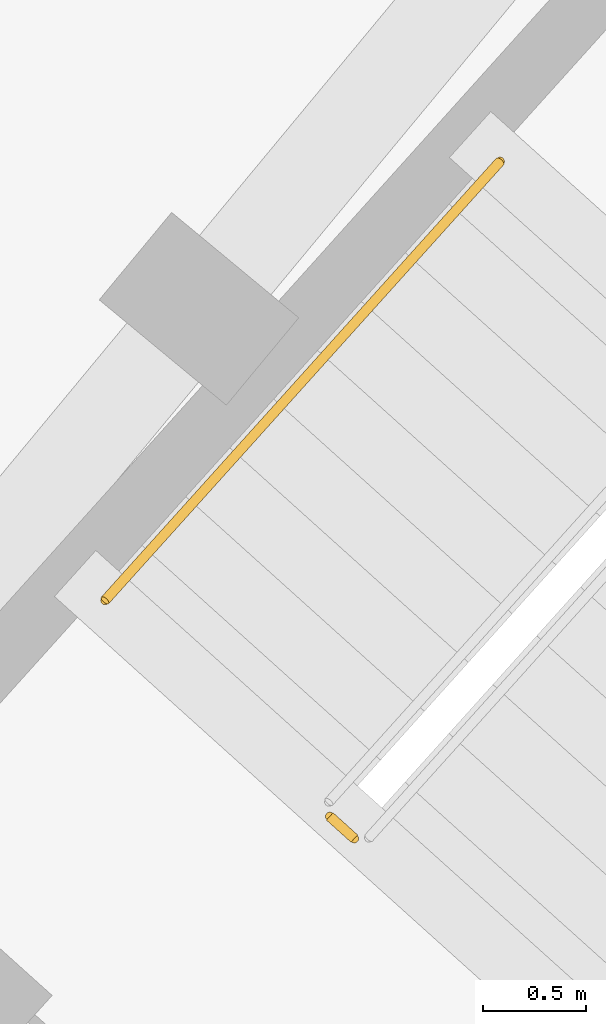
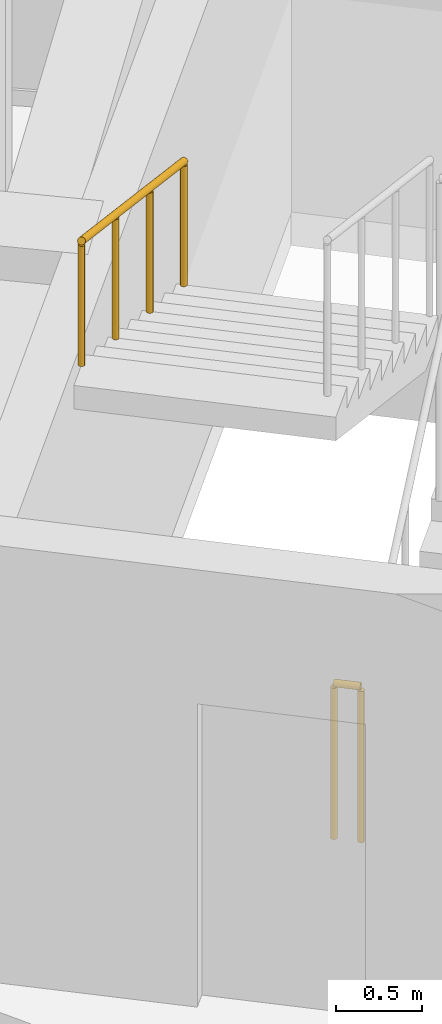
# One storey, part 51 of 56: 2 railings.
"""IFC4 building model written with IfcOpenShell, lengths in metres."""

from ifc_helpers import new_model, si_unit, direction, frame, origin, origin_2d, place, context, subcontext, project, spatial, circle, extrude, material, type_object, element, save


model = new_model("IFC4")

# Units and contexts
model_context = context("Model", 3, precision=1e-05, world=origin(), true_north=direction((0.0, 1.0)))
body_context = subcontext(model_context, "Body", "Model", "MODEL_VIEW")
ifc_project = project(units=[si_unit("LENGTHUNIT", "METRE"), si_unit("AREAUNIT", "SQUARE_METRE"), si_unit("VOLUMEUNIT", "CUBIC_METRE"), si_unit("PLANEANGLEUNIT", "RADIAN"), si_unit("MASSUNIT", "GRAM", prefix="KILO")], contexts=[model_context])

# Site, building, storey
site_placement = place(None, origin())
site = spatial("IfcSite", under=ifc_project, at=site_placement, CompositionType="ELEMENT")
building_placement = place(site_placement, origin())
building = spatial("IfcBuilding", under=site, at=building_placement, Name="Zimvara Arc Housing Community", CompositionType="ELEMENT")
storey_placement = place(building_placement, frame((0.0, 0.0, 11.199951171875)))
storey = spatial("IfcBuildingStorey", under=building, at=storey_placement, Name="L03", CompositionType="ELEMENT", Elevation=11.199951171875)

# Railings
ifc_material_1 = material(Name="Anodised Aluminium AW-6063", Category="aluminium")
railing_type_1 = type_object("IfcRailingType", Name="RLG-BAL-1120", PredefinedType="BALUSTRADE", material=ifc_material_1)
railing_1_placement = place(storey_placement, frame((80.074951171875, 83.3623046875, 0.0)))
element("IfcRailing", 1, at=railing_1_placement, inside=storey, type_object=railing_type_1, Name="L03 ST-B2 stair guard 4", PredefinedType="BALUSTRADE", context=body_context, shape_type="SweptSolid", body=[
    extrude(circle(Radius=0.02392578125, at=origin_2d()), frame((0.0, 0.0, 1.09619140625), z_axis=(-0.742763048172, 0.669554369913, 0.0), x_axis=(-0.669554369913, -0.742763048172, 0.0)), (0.0, 0.0, 1.0), 0.16015625),
    extrude(circle(Radius=0.02099609375, at=origin_2d()), origin(), (0.0, 0.0, 1.0), 1.072021484375),
    extrude(circle(Radius=0.02099609375, at=origin_2d()), frame((-0.118896484375, 0.107177734375, 0.0)), (0.0, 0.0, 1.0), 1.072021484375),
])
ifc_material_2 = material(Name="Anodised Aluminium AW-6063", Category="aluminium")
railing_type_2 = type_object("IfcRailingType", Name="RLG-HND-900", PredefinedType="HANDRAIL", material=ifc_material_2)
railing_2_placement = place(storey_placement, frame((80.78125, 86.64404296875, 1.705078125)))
element("IfcRailing", 2, at=railing_2_placement, inside=storey, type_object=railing_type_2, Name="L03 ST-B2 stair handrail 2", PredefinedType="HANDRAIL", context=body_context, shape_type="SweptSolid", body=[
    extrude(circle(Radius=0.02392578125, at=origin_2d()), frame((0.0, 0.0, 0.8759765625), z_axis=(-0.601262536038, -0.668205807809, 0.438160200347), x_axis=(0.743362010683, -0.668889319, 0.0)), (0.0, 0.0, 1.0), 3.183837890625),
    extrude(circle(Radius=0.02099609375, at=origin_2d()), origin(), (0.0, 0.0, 1.0), 0.851806640625),
    extrude(circle(Radius=0.02099609375, at=origin_2d()), frame((-0.63818359375, -0.709228515625, 0.465087890625)), (0.0, 0.0, 1.0), 0.851806640625),
    extrude(circle(Radius=0.02099609375, at=origin_2d()), frame((-1.276123046875, -1.418212890625, 0.929931640625)), (0.0, 0.0, 1.0), 0.851806640625),
    extrude(circle(Radius=0.02099609375, at=origin_2d()), frame((-1.914306640625, -2.12744140625, 1.39501953125)), (0.0, 0.0, 1.0), 0.851806640625),
])

save(model, "model.ifc")
